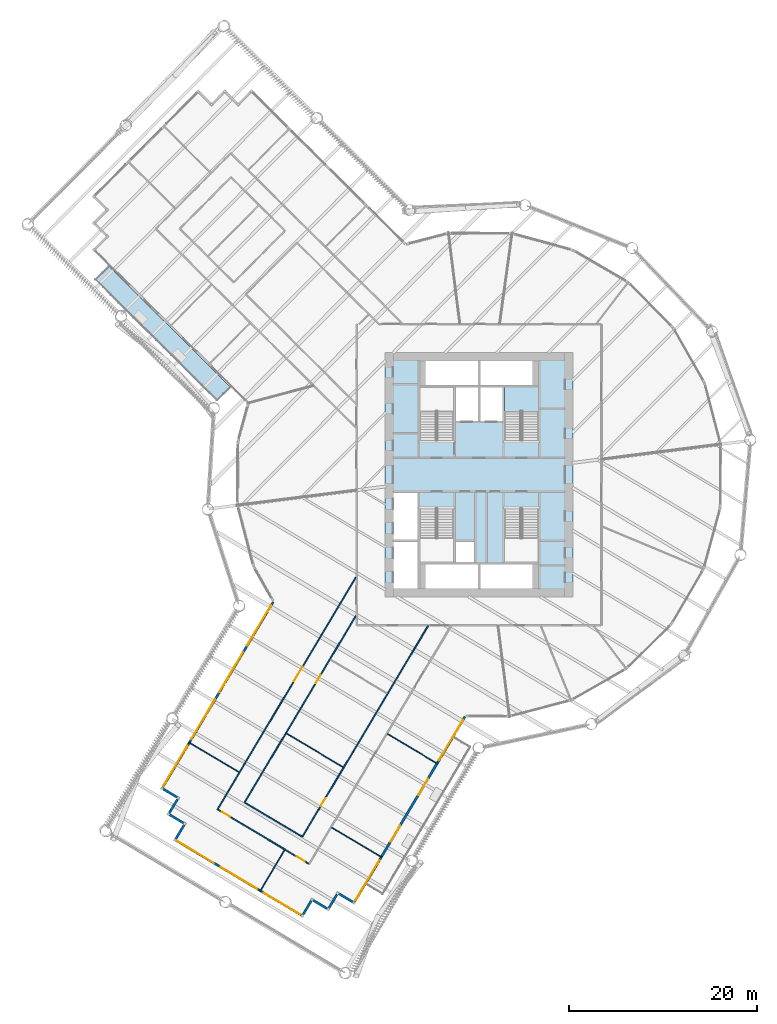
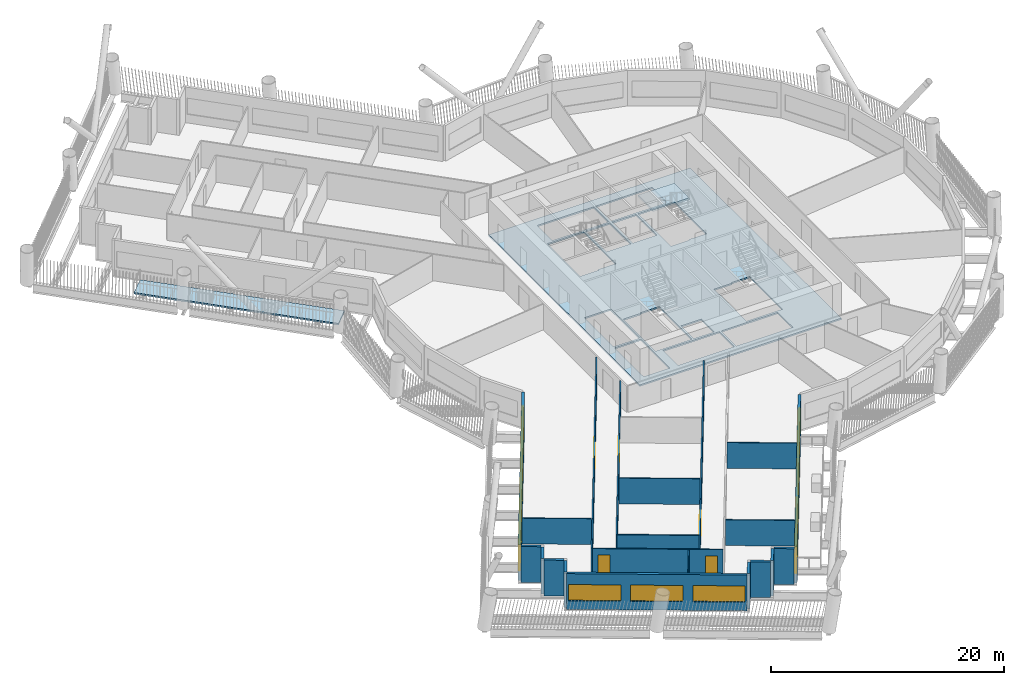
# One storey, part 3 of 22: 21 walls, 9 windows, 7 doors, 3 slabs, 16 openings, 1 element without a shape of its own.
"""IFC4 building model written with IfcOpenShell, lengths in metres."""

from ifc_helpers import new_model, si_unit, direction, frame, frame_2d, origin, place, context, subcontext, project, spatial, polyline, rectangle, outline, extrude, material, layer, layer_set, type_object, element, fill, aggregate, save


model = new_model("IFC4")

# Units and contexts
model_context = context("Model", 3, precision=1e-05, world=origin(), true_north=direction((0.0, 1.0)))
body_context = subcontext(model_context, "Body", "Model", "MODEL_VIEW")
ifc_project = project(units=[si_unit("LENGTHUNIT", "METRE"), si_unit("AREAUNIT", "SQUARE_METRE"), si_unit("VOLUMEUNIT", "CUBIC_METRE"), si_unit("PLANEANGLEUNIT", "RADIAN"), si_unit("MASSUNIT", "GRAM", prefix="KILO")], contexts=[model_context])

# Site, building, storey
site_placement = place(None, origin())
site = spatial("IfcSite", under=ifc_project, at=site_placement, CompositionType="ELEMENT")
building_placement = place(site_placement, origin())
building = spatial("IfcBuilding", under=site, at=building_placement, Name="Tarsis Ring Headquarters", CompositionType="ELEMENT")
storey_placement = place(building_placement, frame((0.0, 0.0, 79.0)))
storey = spatial("IfcBuildingStorey", under=building, at=storey_placement, Name="L17", CompositionType="ELEMENT", Elevation=79.0)

# Slabs
ifc_material_1 = material(Name="Concrete C40/50", Category="concrete")
ifc_layer_1 = layer(ifc_material_1, 0.159912109375)
ifc_layer_set_1 = layer_set([ifc_layer_1], Name="Balcony slab concrete C40/50")
slab_type_1 = type_object("IfcSlabType", Name="Balcony slab concrete C40/50", PredefinedType="FLOOR", material=ifc_layer_set_1)
slab_1_placement = place(storey_placement, frame((0.0, 0.0, -0.159912109375)))
element("IfcSlab", 1, at=slab_1_placement, inside=storey, type_object=slab_type_1, Name="Balcony slab L17-01", PredefinedType="FLOOR", context=body_context, shape_type="SweptSolid", body=[
    extrude(outline(polyline([(-39.322021484375, 22.13671875), (-40.731201171875, 20.717529296875), (-27.8369140625, 7.9130859375), (-26.427734375, 9.33203125), (-39.322021484375, 22.13671875)])), origin(), (0.0, 0.0, 1.0), 0.159912109375),
])
ifc_layer_2 = layer(ifc_material_1, 0.159912109375)
ifc_layer_set_2 = layer_set([ifc_layer_2], Name="Core floor slab 160 C40/50")
slab_type_2 = type_object("IfcSlabType", Name="Core floor slab 160 C40/50", PredefinedType="FLOOR", material=ifc_layer_set_2)
slab_2_placement = place(storey_placement, frame((0.0, 0.0, -0.159912109375)))
element("IfcSlab", 2, at=slab_2_placement, inside=storey, type_object=slab_type_2, Name="L17 core floor slab", PredefinedType="FLOOR", context=body_context, shape_type="SweptSolid", body=[
    extrude(outline(polyline([(-10.0, -13.0), (10.0, -13.0), (10.0, 13.0), (-10.0, 13.0), (-10.0, -13.0)]), holes=[polyline([(-2.5, 5.699951171875), (-0.10009765625, 5.699951171875), (-0.10009765625, 9.300048828125), (-2.5, 9.300048828125), (-2.5, 5.699951171875)]), polyline([(0.10009765625, 5.699951171875), (2.5, 5.699951171875), (2.5, 9.300048828125), (0.10009765625, 9.300048828125), (0.10009765625, 5.699951171875)]), polyline([(-9.10009765625, -12.10009765625), (-6.5, -12.10009765625), (-6.5, -7.10009765625), (-9.10009765625, -7.10009765625), (-9.10009765625, -12.10009765625)]), polyline([(-9.10009765625, -6.89990234375), (-6.5, -6.89990234375), (-6.5, -1.89990234375), (-9.10009765625, -1.89990234375), (-9.10009765625, -6.89990234375)]), polyline([(-5.699951171875, 9.5), (-0.10009765625, 9.5), (-0.10009765625, 12.10009765625), (-5.699951171875, 12.10009765625), (-5.699951171875, 9.5)]), polyline([(0.10009765625, 9.5), (5.699951171875, 9.5), (5.699951171875, 12.10009765625), (0.10009765625, 12.10009765625), (0.10009765625, 9.5)]), polyline([(-5.699951171875, -12.10009765625), (-0.10009765625, -12.10009765625), (-0.10009765625, -9.5), (-5.699951171875, -9.5), (-5.699951171875, -12.10009765625)]), polyline([(0.10009765625, -12.10009765625), (5.699951171875, -12.10009765625), (5.699951171875, -9.5), (0.10009765625, -9.5), (0.10009765625, -12.10009765625)]), polyline([(-2.5, -9.300048828125), (-0.5, -9.300048828125), (-0.5, -7.10009765625), (-2.5, -7.10009765625), (-2.5, -9.300048828125)]), polyline([(-2.699951171875, 3.760009765625), (-2.699951171875, 9.300048828125), (-6.300048828125, 9.300048828125), (-6.300048828125, 3.659912109375), (-4.4599609375, 3.659912109375), (-4.4599609375, 3.760009765625), (-2.699951171875, 3.760009765625)]), polyline([(6.300048828125, 3.760009765625), (6.300048828125, 9.300048828125), (2.699951171875, 9.300048828125), (2.699951171875, 3.659912109375), (4.5400390625, 3.659912109375), (4.5400390625, 3.760009765625), (6.300048828125, 3.760009765625)]), polyline([(-6.300048828125, -3.760009765625), (-6.300048828125, -9.300048828125), (-2.699951171875, -9.300048828125), (-2.699951171875, -3.659912109375), (-4.5400390625, -3.659912109375), (-4.5400390625, -3.760009765625), (-6.300048828125, -3.760009765625)]), polyline([(2.699951171875, -3.760009765625), (2.699951171875, -9.300048828125), (6.300048828125, -9.300048828125), (6.300048828125, -3.659912109375), (4.4599609375, -3.659912109375), (4.4599609375, -3.760009765625), (2.699951171875, -3.760009765625)])]), origin(), (0.0, 0.0, 1.0), 0.159912109375),
])

# Stair, slab
ifc_material_2 = material(Name="Core stair 1760")
stair_type = type_object("IfcStairType", Name="Core stair 1760", PredefinedType="HALF_TURN_STAIR", material=ifc_material_2)
stair_placement = place(storey_placement, origin())
stair = element("IfcStair", 3, at=stair_placement, inside=storey, type_object=stair_type, Name="L17 Exit stair B", PredefinedType="HALF_TURN_STAIR")
ifc_layer_3 = layer(ifc_material_1, 0.199951171875)
ifc_layer_set_3 = layer_set([ifc_layer_3], Name="Core stair landing 200")
slab_type_3 = type_object("IfcSlabType", Name="Core stair landing 200", PredefinedType="LANDING", material=ifc_layer_set_3)
slab_3_placement = place(storey_placement, frame((0.0, 0.0, 1.75)))
slab_3 = element("IfcSlab", 4, at=slab_3_placement, type_object=slab_type_3, Name="Stair ST2 landing 1", PredefinedType="LANDING", context=body_context, shape_type="SweptSolid", body=[
    extrude(outline(polyline([(6.300048828125, 6.739990234375), (6.300048828125, 9.300048828125), (2.699951171875, 9.300048828125), (2.699951171875, 6.739990234375), (6.300048828125, 6.739990234375)])), origin(), (0.0, 0.0, 1.0), 0.199951171875),
])
aggregate(stair, [slab_3])

# Walls
ifc_material_3 = material(Name="Gypsum board on steel studs", Category="steel")
ifc_layer_4 = layer(ifc_material_3, 0.10009765625)
ifc_layer_set_4 = layer_set([ifc_layer_4], Name="FL partition 100 unrated")
wall_type_1 = type_object("IfcWallType", Name="FL partition 100 unrated", PredefinedType="PARTITIONING", material=ifc_layer_set_4)
wall_1_placement = place(storey_placement, frame((-20.4619140625, -27.48974609375, 0.0), z_axis=(0.0, 0.0, 1.0), x_axis=(0.858948154216, -0.512062562944, 0.0)))
element("IfcWall", 5, at=wall_1_placement, inside=storey, type_object=wall_type_1, Name="Partition PW3", PredefinedType="PARTITIONING", context=body_context, shape_type="SweptSolid", body=[
    extrude(rectangle(XDim=7.0, YDim=0.10009765625, at=frame_2d((3.5, 0.0))), origin(), (0.0, 0.0, 1.0), 2.699951171875),
])
for number, where, z_axis, x_axis, name in (
    (6, (-9.734619140625, -27.539794921875, 0.0), (0.0, 0.0, 1.0), (0.858970583122, -0.512024938193, 0.0), "Partition PW3"),
    (7, (-15.65869140625, -37.477783203125, 0.0), (0.0, 0.0, 1.0), (0.858942983735, -0.512071235955, 0.0), "Partition PW3"),
):
    element("IfcWall", number, at=place(storey_placement, frame(where, z_axis=z_axis, x_axis=x_axis)), inside=storey, type_object=wall_type_1, Name=name, PredefinedType="PARTITIONING", context=body_context, shape_type="SweptSolid", body=[
        extrude(rectangle(XDim=6.2099609375, YDim=0.10009765625, at=frame_2d((3.10498046875, 0.0))), origin(), (0.0, 0.0, 1.0), 2.699951171875),
    ])
wall_2_placement = place(storey_placement, frame((-30.853759765625, -28.419921875, 0.0), z_axis=(0.0, 0.0, 1.0), x_axis=(0.858960275678, -0.512042229515, 0.0)))
element("IfcWall", 8, at=wall_2_placement, inside=storey, type_object=wall_type_1, Name="Partition PW3", PredefinedType="PARTITIONING", context=body_context, shape_type="SweptSolid", body=[
    extrude(rectangle(XDim=6.209716796875, YDim=0.10009765625, at=frame_2d((3.10498046875, 0.0))), origin(), (0.0, 0.0, 1.0), 2.699951171875),
])
wall_3_placement = place(storey_placement, frame((-23.283203125, -44.272216796875, 0.0), z_axis=(0.0, 0.0, 1.0), x_axis=(0.512055730255, 0.858952227492, 0.0)))
element("IfcWall", 9, at=wall_3_placement, inside=storey, type_object=wall_type_1, Name="Partition PW3", PredefinedType="PARTITIONING", context=body_context, shape_type="SweptSolid", body=[
    extrude(rectangle(XDim=5.110107421875, YDim=0.10009765625, at=frame_2d((2.55517578125, 0.0))), origin(), (0.0, 0.0, 1.0), 2.699951171875),
])

# Wall, opening, door
ifc_layer_5 = layer(ifc_material_3, 0.125)
ifc_layer_set_5 = layer_set([ifc_layer_5], Name="FL partition 125 EI 60 H2770")
wall_type_2 = type_object("IfcWallType", Name="FL partition 125 EI 60 H2770", PredefinedType="PARTITIONING", material=ifc_layer_set_5)
wall_4_placement = place(storey_placement, frame((-27.79443359375, -35.552490234375, 0.0), z_axis=(0.0, 0.0, 1.0), x_axis=(0.512042804395, 0.858959932981, 0.0)))
wall_4 = element("IfcWall", 10, at=wall_4_placement, inside=storey, type_object=wall_type_2, Name="Partition PW1", PredefinedType="PARTITIONING", context=body_context, shape_type="SweptSolid", body=[
    extrude(rectangle(XDim=28.68310546875, YDim=0.125, at=frame_2d((14.341552734375, 0.0))), origin(), (0.0, 0.0, 1.0), 2.77001953125),
])
opening_1_placement = place(wall_4_placement, frame((15.827880859375, 0.0, 0.0)))
opening_1 = element("IfcOpeningElement", 11, at=opening_1_placement, cuts=wall_4, Name="Opening D17.17", PredefinedType="OPENING", context=body_context, shape_type="SweptSolid", body=[
    extrude(rectangle(XDim=1.800048828125, YDim=2.10009765625, at=frame_2d((0.89990234375, 1.050048828125))), frame((0.0, 0.072509765625, 0.0), z_axis=(0.0, -1.0, 0.0), x_axis=(1.0, 0.0, 0.0)), (0.0, 0.0, 1.0), 0.14501953125),
])
ifc_material_4 = material(Name="Fire-rated timber door leaf in steel frame", Category="steel")
door_type_1 = type_object("IfcDoorType", Name="FL door FD60-1800", OperationType="DOUBLE_DOOR_SINGLE_SWING", PredefinedType="DOOR", material=ifc_material_4)
door_1_placement = place(opening_1_placement, origin())
door_1 = element("IfcDoor", 12, at=door_1_placement, inside=storey, type_object=door_type_1, Name="Door D17.17", OperationType="DOUBLE_DOOR_SINGLE_SWING", OverallHeight=2.10009765625, OverallWidth=1.800048828125, PredefinedType="DOOR", context=body_context, shape_type="SweptSolid", body=[
    extrude(rectangle(XDim=1.800048828125, YDim=2.10009765625, at=frame_2d((0.89990234375, 1.050048828125))), frame((0.0, 0.02490234375, 0.0), z_axis=(0.0, -1.0, 0.0), x_axis=(1.0, 0.0, 0.0)), (0.0, 0.0, 1.0), 0.050048828125),
])
fill(opening_1, door_1)

wall_5_placement = place(storey_placement, frame((-18.782470703125, -38.479736328125, 0.0), z_axis=(0.0, 0.0, 1.0), x_axis=(0.512050379986, 0.858955416978, 0.0)))
wall_5 = element("IfcWall", 13, at=wall_5_placement, inside=storey, type_object=wall_type_2, Name="Partition PW1", PredefinedType="PARTITIONING", context=body_context, shape_type="SweptSolid", body=[
    extrude(rectangle(XDim=26.1708984375, YDim=0.125, at=frame_2d((13.08544921875, 0.0))), origin(), (0.0, 0.0, 1.0), 2.77001953125),
])
opening_2_placement = place(wall_5_placement, frame((3.788818359375, 0.0, 0.0)))
opening_2 = element("IfcOpeningElement", 14, at=opening_2_placement, cuts=wall_5, Name="Opening D17.24", PredefinedType="OPENING", context=body_context, shape_type="SweptSolid", body=[
    extrude(rectangle(XDim=1.0, YDim=2.10009765625, at=frame_2d((0.5, 1.050048828125))), frame((0.0, 0.072509765625, 0.0), z_axis=(0.0, -1.0, 0.0), x_axis=(1.0, 0.0, 0.0)), (0.0, 0.0, 1.0), 0.14501953125),
])
door_type_2 = type_object("IfcDoorType", Name="FL door FD60-1000", OperationType="NOTDEFINED", PredefinedType="DOOR", material=ifc_material_4)
door_2_placement = place(opening_2_placement, origin())
door_2 = element("IfcDoor", 15, at=door_2_placement, inside=storey, type_object=door_type_2, Name="Door D17.24", OperationType="SINGLE_SWING_LEFT", OverallHeight=2.10009765625, OverallWidth=1.0, PredefinedType="DOOR", context=body_context, shape_type="SweptSolid", body=[
    extrude(rectangle(XDim=1.0, YDim=2.10009765625, at=frame_2d((0.5, 1.050048828125))), frame((0.0, 0.02490234375, 0.0), z_axis=(0.0, -1.0, 0.0), x_axis=(1.0, 0.0, 0.0)), (0.0, 0.0, 1.0), 0.050048828125),
])
fill(opening_2, door_2)

wall_6_placement = place(storey_placement, frame((-24.915283203125, -34.82373046875, 0.0), z_axis=(0.0, 0.0, 1.0), x_axis=(0.51204771832, 0.858957003675, 0.0)))
wall_6 = element("IfcWall", 16, at=wall_6_placement, inside=storey, type_object=wall_type_2, Name="Partition PW1", PredefinedType="PARTITIONING", context=body_context, shape_type="SweptSolid", body=[
    extrude(rectangle(XDim=23.06005859375, YDim=0.125, at=frame_2d((11.530029296875, 0.0))), origin(), (0.0, 0.0, 1.0), 2.77001953125),
])
opening_3_placement = place(wall_6_placement, frame((14.767333984375, 0.0, 0.0)))
opening_3 = element("IfcOpeningElement", 17, at=opening_3_placement, cuts=wall_6, Name="Opening D17.23", PredefinedType="OPENING", context=body_context, shape_type="SweptSolid", body=[
    extrude(rectangle(XDim=1.0, YDim=2.10009765625, at=frame_2d((0.5, 1.050048828125))), frame((0.0, 0.072509765625, 0.0), z_axis=(0.0, -1.0, 0.0), x_axis=(1.0, 0.0, 0.0)), (0.0, 0.0, 1.0), 0.14501953125),
])
door_3_placement = place(opening_3_placement, origin())
door_3 = element("IfcDoor", 18, at=door_3_placement, inside=storey, type_object=door_type_2, Name="Door D17.23", OperationType="SINGLE_SWING_RIGHT", OverallHeight=2.10009765625, OverallWidth=1.0, PredefinedType="DOOR", context=body_context, shape_type="SweptSolid", body=[
    extrude(rectangle(XDim=1.0, YDim=2.10009765625, at=frame_2d((0.5, 1.050048828125))), frame((0.0, 0.02490234375, 0.0), z_axis=(0.0, -1.0, 0.0), x_axis=(1.0, 0.0, 0.0)), (0.0, 0.0, 1.0), 0.050048828125),
])
fill(opening_3, door_3)

# Wall, openings, doors
wall_7_placement = place(storey_placement, frame((-27.742919921875, -35.5830078125, 0.0), z_axis=(0.0, 0.0, 1.0), x_axis=(0.858958201098, -0.512045709645, 0.0)))
wall_7 = element("IfcWall", 19, at=wall_7_placement, inside=storey, type_object=wall_type_2, Name="Partition PW1", PredefinedType="PARTITIONING", context=body_context, shape_type="SweptSolid", body=[
    extrude(rectangle(XDim=11.219970703125, YDim=0.125, at=frame_2d((5.60986328125, 0.0))), origin(), (0.0, 0.0, 1.0), 2.77001953125),
])
opening_4_placement = place(wall_7_placement, frame((9.72998046875, 0.0, 0.0)))
opening_4 = element("IfcOpeningElement", 20, at=opening_4_placement, cuts=wall_7, Name="Opening D17.15", PredefinedType="OPENING", context=body_context, shape_type="SweptSolid", body=[
    extrude(rectangle(XDim=1.0, YDim=2.10009765625, at=frame_2d((0.5, 1.050048828125))), frame((0.0, 0.072509765625, 0.0), z_axis=(0.0, -1.0, 0.0), x_axis=(1.0, 0.0, 0.0)), (0.0, 0.0, 1.0), 0.14501953125),
])
opening_5_placement = place(wall_7_placement, frame((0.489990234375, 0.0, 0.0)))
opening_5 = element("IfcOpeningElement", 21, at=opening_5_placement, cuts=wall_7, Name="Opening D17.16", PredefinedType="OPENING", context=body_context, shape_type="SweptSolid", body=[
    extrude(rectangle(XDim=1.0, YDim=2.10009765625, at=frame_2d((0.5, 1.050048828125))), frame((0.0, 0.072509765625, 0.0), z_axis=(0.0, -1.0, 0.0), x_axis=(1.0, 0.0, 0.0)), (0.0, 0.0, 1.0), 0.14501953125),
])
door_4_placement = place(opening_4_placement, origin())
door_4 = element("IfcDoor", 22, at=door_4_placement, inside=storey, type_object=door_type_2, Name="Door D17.15", OperationType="SINGLE_SWING_RIGHT", OverallHeight=2.10009765625, OverallWidth=1.0, PredefinedType="DOOR", context=body_context, shape_type="SweptSolid", body=[
    extrude(rectangle(XDim=1.0, YDim=2.10009765625, at=frame_2d((0.5, 1.050048828125))), frame((0.0, 0.02490234375, 0.0), z_axis=(0.0, -1.0, 0.0), x_axis=(1.0, 0.0, 0.0)), (0.0, 0.0, 1.0), 0.050048828125),
])
fill(opening_4, door_4)
door_5_placement = place(opening_5_placement, origin())
door_5 = element("IfcDoor", 23, at=door_5_placement, inside=storey, type_object=door_type_2, Name="Door D17.16", OperationType="SINGLE_SWING_LEFT", OverallHeight=2.10009765625, OverallWidth=1.0, PredefinedType="DOOR", context=body_context, shape_type="SweptSolid", body=[
    extrude(rectangle(XDim=1.0, YDim=2.10009765625, at=frame_2d((0.5, 1.050048828125))), frame((0.0, 0.02490234375, 0.0), z_axis=(0.0, -1.0, 0.0), x_axis=(1.0, 0.0, 0.0)), (0.0, 0.0, 1.0), 0.050048828125),
])
fill(opening_5, door_5)

# Wall
wall_8_placement = place(storey_placement, frame((-24.86376953125, -34.8544921875, 0.0), z_axis=(0.0, 0.0, 1.0), x_axis=(0.858944032546, -0.512069476687, 0.0)))
element("IfcWall", 24, at=wall_8_placement, inside=storey, type_object=wall_type_2, Name="Partition PW1", PredefinedType="PARTITIONING", context=body_context, shape_type="SweptSolid", body=[
    extrude(rectangle(XDim=7.02001953125, YDim=0.125, at=frame_2d((3.510009765625, 0.0))), origin(), (0.0, 0.0, 1.0), 2.77001953125),
])

# Wall, openings, windows
ifc_material_5 = material(Name="Terracotta clad insulated panel wall", Category="masonry")
ifc_layer_6 = layer(ifc_material_5, 0.25)
ifc_layer_set_6 = layer_set([ifc_layer_6], Name="Facade wall terracotta panel 250")
wall_type_3 = type_object("IfcWallType", Name="Facade wall terracotta panel 250", PredefinedType="STANDARD", material=ifc_layer_set_6)
wall_9_placement = place(storey_placement, frame((-21.88916015625, -13.52783203125, 0.0), z_axis=(0.0, 0.0, 1.0), x_axis=(-0.512045501216, -0.858958325348, 0.0)))
wall_9 = element("IfcWall", 25, at=wall_9_placement, inside=storey, type_object=wall_type_3, Name="External wall L17-06", PredefinedType="STANDARD", context=body_context, shape_type="SweptSolid", body=[
    extrude(rectangle(XDim=22.921875, YDim=0.25, at=frame_2d((11.4609375, 0.0))), origin(), (0.0, 0.0, 1.0), 3.739990234375),
])
opening_6_placement = place(wall_9_placement, frame((0.42138671875, 0.0, 0.89990234375)))
opening_6 = element("IfcOpeningElement", 26, at=opening_6_placement, cuts=wall_9, Name="Opening WN05", PredefinedType="OPENING", context=body_context, shape_type="SweptSolid", body=[
    extrude(rectangle(XDim=4.949951171875, YDim=1.699951171875, at=frame_2d((2.47509765625, 0.85009765625))), frame((0.0, 0.135009765625, 0.0), z_axis=(0.0, -1.0, 0.0), x_axis=(1.0, 0.0, 0.0)), (0.0, 0.0, 1.0), 0.27001953125),
])
opening_7_placement = place(wall_9_placement, frame((6.214599609375, 0.0, 0.89990234375)))
opening_7 = element("IfcOpeningElement", 27, at=opening_7_placement, cuts=wall_9, Name="Opening WN05", PredefinedType="OPENING", context=body_context, shape_type="SweptSolid", body=[
    extrude(rectangle(XDim=4.949951171875, YDim=1.699951171875, at=frame_2d((2.47509765625, 0.85009765625))), frame((0.0, 0.135009765625, 0.0), z_axis=(0.0, -1.0, 0.0), x_axis=(1.0, 0.0, 0.0)), (0.0, 0.0, 1.0), 0.27001953125),
])
opening_8_placement = place(wall_9_placement, frame((12.007568359375, 0.0, 0.89990234375)))
opening_8 = element("IfcOpeningElement", 28, at=opening_8_placement, cuts=wall_9, Name="Opening WN05", PredefinedType="OPENING", context=body_context, shape_type="SweptSolid", body=[
    extrude(rectangle(XDim=4.949951171875, YDim=1.699951171875, at=frame_2d((2.47509765625, 0.85009765625))), frame((0.0, 0.135009765625, 0.0), z_axis=(0.0, -1.0, 0.0), x_axis=(1.0, 0.0, 0.0)), (0.0, 0.0, 1.0), 0.27001953125),
])
opening_9_placement = place(wall_9_placement, frame((17.800537109375, 0.0, 0.89990234375)))
opening_9 = element("IfcOpeningElement", 29, at=opening_9_placement, cuts=wall_9, Name="Opening WN05", PredefinedType="OPENING", context=body_context, shape_type="SweptSolid", body=[
    extrude(rectangle(XDim=4.949951171875, YDim=1.699951171875, at=frame_2d((2.47509765625, 0.85009765625))), frame((0.0, 0.135009765625, 0.0), z_axis=(0.0, -1.0, 0.0), x_axis=(1.0, 0.0, 0.0)), (0.0, 0.0, 1.0), 0.27001953125),
])
ifc_material_6 = material(Name="Aluminium framed double glazing", Category="aluminium")
window_type_1 = type_object("IfcWindowType", Name="Facade window 4950 x 1700", PartitioningType="SINGLE_PANEL", PredefinedType="WINDOW", material=ifc_material_6)
window_1_placement = place(opening_6_placement, origin())
window_1 = element("IfcWindow", 30, at=window_1_placement, inside=storey, type_object=window_type_1, Name="Window L17-06.1", OverallHeight=1.699951171875, OverallWidth=4.949951171875, PartitioningType="SINGLE_PANEL", PredefinedType="WINDOW", context=body_context, shape_type="SweptSolid", body=[
    extrude(rectangle(XDim=4.949951171875, YDim=1.699951171875, at=frame_2d((2.47509765625, 0.85009765625))), frame((0.0, 0.030029296875, 0.0), z_axis=(0.0, -1.0, 0.0), x_axis=(1.0, 0.0, 0.0)), (0.0, 0.0, 1.0), 0.06005859375),
])
fill(opening_6, window_1)
window_2_placement = place(opening_7_placement, origin())
window_2 = element("IfcWindow", 31, at=window_2_placement, inside=storey, type_object=window_type_1, Name="Window L17-06.2", OverallHeight=1.699951171875, OverallWidth=4.949951171875, PartitioningType="SINGLE_PANEL", PredefinedType="WINDOW", context=body_context, shape_type="SweptSolid", body=[
    extrude(rectangle(XDim=4.949951171875, YDim=1.699951171875, at=frame_2d((2.47509765625, 0.85009765625))), frame((0.0, 0.030029296875, 0.0), z_axis=(0.0, -1.0, 0.0), x_axis=(1.0, 0.0, 0.0)), (0.0, 0.0, 1.0), 0.06005859375),
])
fill(opening_7, window_2)
window_3_placement = place(opening_8_placement, origin())
window_3 = element("IfcWindow", 32, at=window_3_placement, inside=storey, type_object=window_type_1, Name="Window L17-06.3", OverallHeight=1.699951171875, OverallWidth=4.949951171875, PartitioningType="SINGLE_PANEL", PredefinedType="WINDOW", context=body_context, shape_type="SweptSolid", body=[
    extrude(rectangle(XDim=4.949951171875, YDim=1.699951171875, at=frame_2d((2.47509765625, 0.85009765625))), frame((0.0, 0.030029296875, 0.0), z_axis=(0.0, -1.0, 0.0), x_axis=(1.0, 0.0, 0.0)), (0.0, 0.0, 1.0), 0.06005859375),
])
fill(opening_8, window_3)
window_4_placement = place(opening_9_placement, origin())
window_4 = element("IfcWindow", 33, at=window_4_placement, inside=storey, type_object=window_type_1, Name="Window L17-06.4", OverallHeight=1.699951171875, OverallWidth=4.949951171875, PartitioningType="SINGLE_PANEL", PredefinedType="WINDOW", context=body_context, shape_type="SweptSolid", body=[
    extrude(rectangle(XDim=4.949951171875, YDim=1.699951171875, at=frame_2d((2.47509765625, 0.85009765625))), frame((0.0, 0.030029296875, 0.0), z_axis=(0.0, -1.0, 0.0), x_axis=(1.0, 0.0, 0.0)), (0.0, 0.0, 1.0), 0.06005859375),
])
fill(opening_9, window_4)

# Walls
for number, where, z_axis, x_axis, name in (
    (34, (-33.582763671875, -33.38818359375, 0.0), (0.0, 0.0, 1.0), (0.858917473599, -0.51211402397, 0.0), "External wall L17-07"),
    (35, (-32.0361328125, -34.455810546875, 0.0), (0.0, 0.0, 1.0), (-0.51211402397, -0.858917473599, 0.0), "External wall L17-08"),
    (36, (-32.888916015625, -36.13037109375, 0.0), (0.0, 0.0, 1.0), (0.858978833941, -0.512011096405, 0.0), "External wall L17-09"),
    (37, (-31.34228515625, -37.19775390625, 0.0), (0.0, 0.0, 1.0), (-0.51211402397, -0.858917473599, 0.0), "External wall L17-10"),
):
    element("IfcWall", number, at=place(storey_placement, frame(where, z_axis=z_axis, x_axis=x_axis)), inside=storey, type_object=wall_type_3, Name=name, PredefinedType="STANDARD", context=body_context, shape_type="SweptSolid", body=[
        extrude(rectangle(XDim=1.75, YDim=0.25, at=frame_2d((0.875, 0.0))), origin(), (0.0, 0.0, 1.0), 3.739990234375),
    ])

# Wall, openings, windows
wall_10_placement = place(storey_placement, frame((-32.195068359375, -38.872314453125, 0.0), z_axis=(0.0, 0.0, 1.0), x_axis=(0.85896535914, -0.512033701818, 0.0)))
wall_10 = element("IfcWall", 38, at=wall_10_placement, inside=storey, type_object=wall_type_3, Name="External wall L17-11", PredefinedType="STANDARD", context=body_context, shape_type="SweptSolid", body=[
    extrude(rectangle(XDim=15.5, YDim=0.25, at=frame_2d((7.75, 0.0))), origin(), (0.0, 0.0, 1.0), 3.739990234375),
])
opening_10_placement = place(wall_10_placement, frame((0.166748046875, 0.0, 0.89990234375)))
opening_10 = element("IfcOpeningElement", 39, at=opening_10_placement, cuts=wall_10, Name="Opening WN04", PredefinedType="OPENING", context=body_context, shape_type="SweptSolid", body=[
    extrude(rectangle(XDim=4.5, YDim=1.699951171875, at=frame_2d((2.25, 0.85009765625))), frame((0.0, 0.135009765625, 0.0), z_axis=(0.0, -1.0, 0.0), x_axis=(1.0, 0.0, 0.0)), (0.0, 0.0, 1.0), 0.27001953125),
])
opening_11_placement = place(wall_10_placement, frame((5.5, 0.0, 0.89990234375)))
opening_11 = element("IfcOpeningElement", 40, at=opening_11_placement, cuts=wall_10, Name="Opening WN04", PredefinedType="OPENING", context=body_context, shape_type="SweptSolid", body=[
    extrude(rectangle(XDim=4.5, YDim=1.699951171875, at=frame_2d((2.25, 0.85009765625))), frame((0.0, 0.135009765625, 0.0), z_axis=(0.0, -1.0, 0.0), x_axis=(1.0, 0.0, 0.0)), (0.0, 0.0, 1.0), 0.27001953125),
])
opening_12_placement = place(wall_10_placement, frame((10.833251953125, 0.0, 0.89990234375)))
opening_12 = element("IfcOpeningElement", 41, at=opening_12_placement, cuts=wall_10, Name="Opening WN04", PredefinedType="OPENING", context=body_context, shape_type="SweptSolid", body=[
    extrude(rectangle(XDim=4.5, YDim=1.699951171875, at=frame_2d((2.25, 0.85009765625))), frame((0.0, 0.135009765625, 0.0), z_axis=(0.0, -1.0, 0.0), x_axis=(1.0, 0.0, 0.0)), (0.0, 0.0, 1.0), 0.27001953125),
])
window_type_2 = type_object("IfcWindowType", Name="Facade window 4500 x 1700", PartitioningType="SINGLE_PANEL", PredefinedType="WINDOW", material=ifc_material_6)
window_5_placement = place(opening_10_placement, origin())
window_5 = element("IfcWindow", 42, at=window_5_placement, inside=storey, type_object=window_type_2, Name="Window L17-11.1", OverallHeight=1.699951171875, OverallWidth=4.5, PartitioningType="SINGLE_PANEL", PredefinedType="WINDOW", context=body_context, shape_type="SweptSolid", body=[
    extrude(rectangle(XDim=4.5, YDim=1.699951171875, at=frame_2d((2.25, 0.85009765625))), frame((0.0, 0.030029296875, 0.0), z_axis=(0.0, -1.0, 0.0), x_axis=(1.0, 0.0, 0.0)), (0.0, 0.0, 1.0), 0.06005859375),
])
fill(opening_10, window_5)
window_6_placement = place(opening_11_placement, origin())
window_6 = element("IfcWindow", 43, at=window_6_placement, inside=storey, type_object=window_type_2, Name="Window L17-11.2", OverallHeight=1.699951171875, OverallWidth=4.5, PartitioningType="SINGLE_PANEL", PredefinedType="WINDOW", context=body_context, shape_type="SweptSolid", body=[
    extrude(rectangle(XDim=4.5, YDim=1.699951171875, at=frame_2d((2.25, 0.85009765625))), frame((0.0, 0.030029296875, 0.0), z_axis=(0.0, -1.0, 0.0), x_axis=(1.0, 0.0, 0.0)), (0.0, 0.0, 1.0), 0.06005859375),
])
fill(opening_11, window_6)
window_7_placement = place(opening_12_placement, origin())
window_7 = element("IfcWindow", 44, at=window_7_placement, inside=storey, type_object=window_type_2, Name="Window L17-11.3", OverallHeight=1.699951171875, OverallWidth=4.5, PartitioningType="SINGLE_PANEL", PredefinedType="WINDOW", context=body_context, shape_type="SweptSolid", body=[
    extrude(rectangle(XDim=4.5, YDim=1.699951171875, at=frame_2d((2.25, 0.85009765625))), frame((0.0, 0.030029296875, 0.0), z_axis=(0.0, -1.0, 0.0), x_axis=(1.0, 0.0, 0.0)), (0.0, 0.0, 1.0), 0.06005859375),
])
fill(opening_12, window_7)

# Walls
for number, where, z_axis, x_axis, name in (
    (45, (-18.709716796875, -46.765625, 0.0), (0.0, 0.0, 1.0), (0.512011096405, 0.858978833941, 0.0), "External wall L17-12"),
    (46, (-17.642333984375, -45.218994140625, 0.0), (0.0, 0.0, 1.0), (0.858917473599, -0.51211402397, 0.0), "External wall L17-13"),
    (47, (-15.9677734375, -46.07177734375, 0.0), (0.0, 0.0, 1.0), (0.512011096405, 0.858978833941, 0.0), "External wall L17-14"),
    (48, (-14.900390625, -44.525146484375, 0.0), (0.0, 0.0, 1.0), (0.858917473599, -0.51211402397, 0.0), "External wall L17-15"),
):
    element("IfcWall", number, at=place(storey_placement, frame(where, z_axis=z_axis, x_axis=x_axis)), inside=storey, type_object=wall_type_3, Name=name, PredefinedType="STANDARD", context=body_context, shape_type="SweptSolid", body=[
        extrude(rectangle(XDim=1.75, YDim=0.25, at=frame_2d((0.875, 0.0))), origin(), (0.0, 0.0, 1.0), 3.739990234375),
    ])

# Wall, openings, doors, windows
wall_11_placement = place(storey_placement, frame((-13.225830078125, -45.3779296875, 0.0), z_axis=(0.0, 0.0, 1.0), x_axis=(0.512044879169, 0.858958696165, 0.0)))
wall_11 = element("IfcWall", 49, at=wall_11_placement, inside=storey, type_object=wall_type_3, Name="External wall L17-16", PredefinedType="STANDARD", context=body_context, shape_type="SweptSolid", body=[
    extrude(rectangle(XDim=22.9013671875, YDim=0.25, at=frame_2d((11.45068359375, 0.0))), origin(), (0.0, 0.0, 1.0), 3.739990234375),
])
opening_13_placement = place(wall_11_placement, frame((0.1689453125, 0.0, 0.89990234375)))
opening_13 = element("IfcOpeningElement", 50, at=opening_13_placement, cuts=wall_11, Name="Opening WN05", PredefinedType="OPENING", context=body_context, shape_type="SweptSolid", body=[
    extrude(rectangle(XDim=4.949951171875, YDim=1.699951171875, at=frame_2d((2.47509765625, 0.85009765625))), frame((0.0, 0.135009765625, 0.0), z_axis=(0.0, -1.0, 0.0), x_axis=(1.0, 0.0, 0.0)), (0.0, 0.0, 1.0), 0.27001953125),
])
opening_14_placement = place(wall_11_placement, frame((7.431640625, 0.0, 0.0)))
opening_14 = element("IfcOpeningElement", 51, at=opening_14_placement, cuts=wall_11, Name="Opening L17-BD03", PredefinedType="OPENING", context=body_context, shape_type="SweptSolid", body=[
    extrude(rectangle(XDim=2.0, YDim=2.39990234375, at=frame_2d((1.0, 1.199951171875))), frame((0.0, 0.135009765625, 0.0), z_axis=(0.0, -1.0, 0.0), x_axis=(1.0, 0.0, 0.0)), (0.0, 0.0, 1.0), 0.27001953125),
])
opening_15_placement = place(wall_11_placement, frame((13.219482421875, 0.0, 0.0)))
opening_15 = element("IfcOpeningElement", 52, at=opening_15_placement, cuts=wall_11, Name="Opening L17-BD04", PredefinedType="OPENING", context=body_context, shape_type="SweptSolid", body=[
    extrude(rectangle(XDim=2.0, YDim=2.39990234375, at=frame_2d((1.0, 1.199951171875))), frame((0.0, 0.135009765625, 0.0), z_axis=(0.0, -1.0, 0.0), x_axis=(1.0, 0.0, 0.0)), (0.0, 0.0, 1.0), 0.27001953125),
])
opening_16_placement = place(wall_11_placement, frame((17.532470703125, 0.0, 0.89990234375)))
opening_16 = element("IfcOpeningElement", 53, at=opening_16_placement, cuts=wall_11, Name="Opening WN05", PredefinedType="OPENING", context=body_context, shape_type="SweptSolid", body=[
    extrude(rectangle(XDim=4.949951171875, YDim=1.699951171875, at=frame_2d((2.47509765625, 0.85009765625))), frame((0.0, 0.135009765625, 0.0), z_axis=(0.0, -1.0, 0.0), x_axis=(1.0, 0.0, 0.0)), (0.0, 0.0, 1.0), 0.27001953125),
])
door_type_3 = type_object("IfcDoorType", Name="Balcony sliding door 2000 x 2400", OperationType="SLIDING_TO_LEFT", PredefinedType="DOOR", material=ifc_material_6)
door_6_placement = place(opening_14_placement, origin())
door_6 = element("IfcDoor", 54, at=door_6_placement, inside=storey, type_object=door_type_3, Name="Door L17-BD03", OperationType="SINGLE_SWING_LEFT", OverallHeight=2.39990234375, OverallWidth=2.0, PredefinedType="DOOR", context=body_context, shape_type="SweptSolid", body=[
    extrude(rectangle(XDim=2.0, YDim=2.39990234375, at=frame_2d((1.0, 1.199951171875))), frame((0.0, 0.02490234375, 0.0), z_axis=(0.0, -1.0, 0.0), x_axis=(1.0, 0.0, 0.0)), (0.0, 0.0, 1.0), 0.050048828125),
])
fill(opening_14, door_6)
door_7_placement = place(opening_15_placement, origin())
door_7 = element("IfcDoor", 55, at=door_7_placement, inside=storey, type_object=door_type_3, Name="Door L17-BD04", OperationType="SINGLE_SWING_LEFT", OverallHeight=2.39990234375, OverallWidth=2.0, PredefinedType="DOOR", context=body_context, shape_type="SweptSolid", body=[
    extrude(rectangle(XDim=2.0, YDim=2.39990234375, at=frame_2d((1.0, 1.199951171875))), frame((0.0, 0.02490234375, 0.0), z_axis=(0.0, -1.0, 0.0), x_axis=(1.0, 0.0, 0.0)), (0.0, 0.0, 1.0), 0.050048828125),
])
fill(opening_15, door_7)
window_8_placement = place(opening_13_placement, origin())
window_8 = element("IfcWindow", 56, at=window_8_placement, inside=storey, type_object=window_type_1, Name="Window L17-16.1", OverallHeight=1.699951171875, OverallWidth=4.949951171875, PartitioningType="SINGLE_PANEL", PredefinedType="WINDOW", context=body_context, shape_type="SweptSolid", body=[
    extrude(rectangle(XDim=4.949951171875, YDim=1.699951171875, at=frame_2d((2.47509765625, 0.85009765625))), frame((0.0, 0.030029296875, 0.0), z_axis=(0.0, -1.0, 0.0), x_axis=(1.0, 0.0, 0.0)), (0.0, 0.0, 1.0), 0.06005859375),
])
fill(opening_13, window_8)
window_9_placement = place(opening_16_placement, origin())
window_9 = element("IfcWindow", 57, at=window_9_placement, inside=storey, type_object=window_type_1, Name="Window L17-16.4", OverallHeight=1.699951171875, OverallWidth=4.949951171875, PartitioningType="SINGLE_PANEL", PredefinedType="WINDOW", context=body_context, shape_type="SweptSolid", body=[
    extrude(rectangle(XDim=4.949951171875, YDim=1.699951171875, at=frame_2d((2.47509765625, 0.85009765625))), frame((0.0, 0.030029296875, 0.0), z_axis=(0.0, -1.0, 0.0), x_axis=(1.0, 0.0, 0.0)), (0.0, 0.0, 1.0), 0.06005859375),
])
fill(opening_16, window_9)

save(model, "model.ifc")
